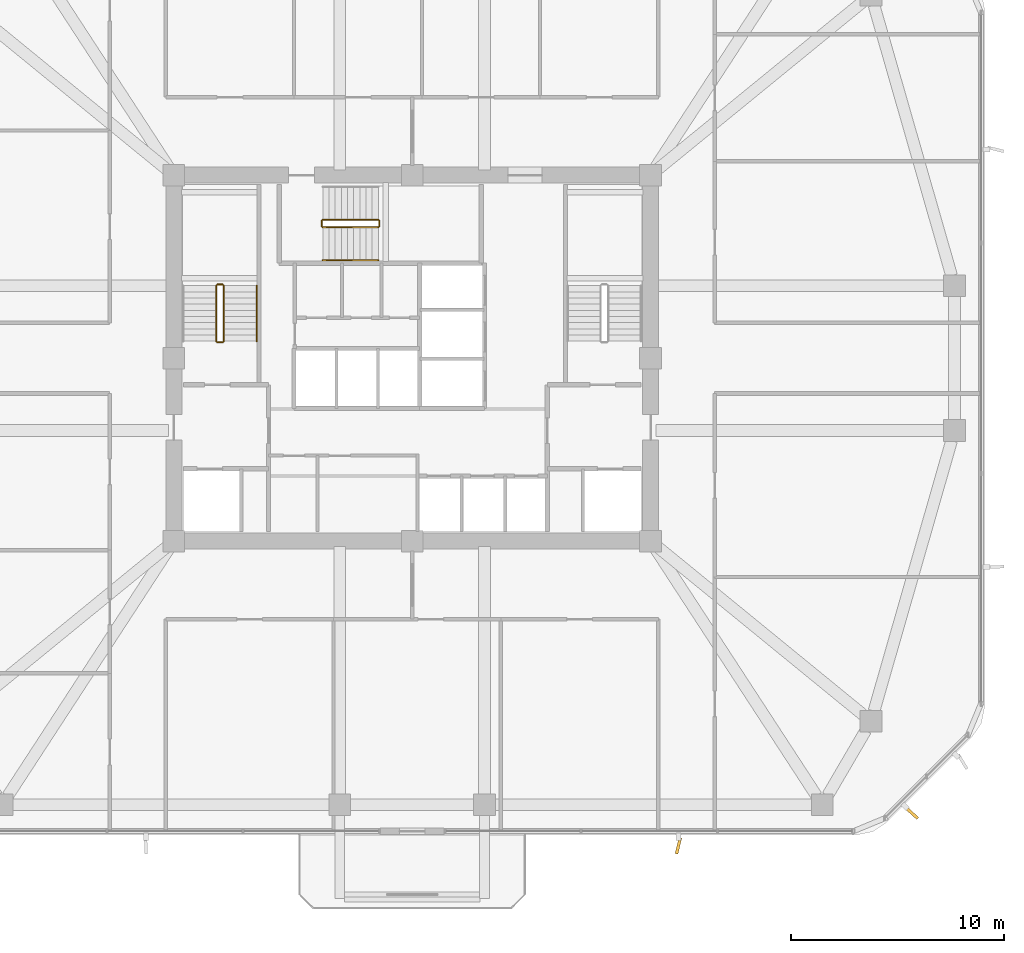
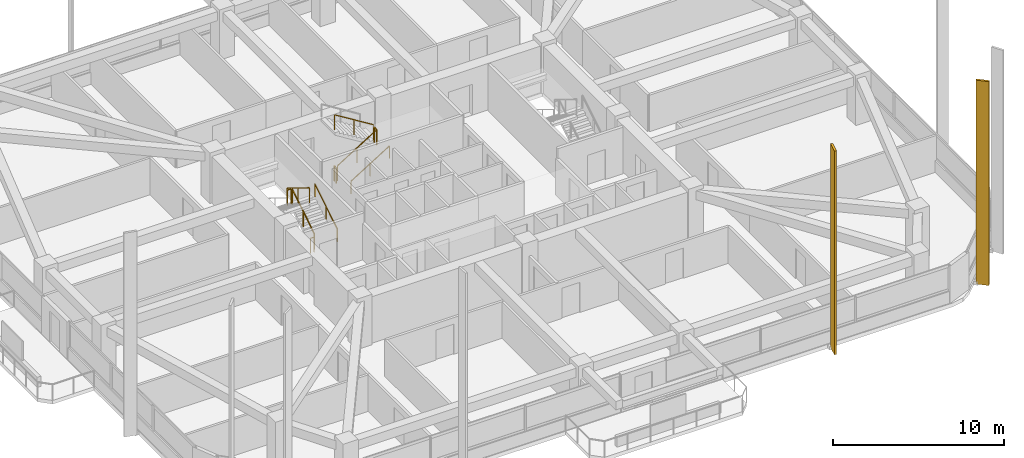
# One storey, part 13 of 15: 10 railings, 2 shading devices.
"""IFC4 building model written with IfcOpenShell, lengths in metres."""

from ifc_helpers import new_model, si_unit, derived_unit, direction, frame, origin, origin_2d, place, context, subcontext, project, spatial, rectangle, extrude, material, type_object, element, save


model = new_model("IFC4")

# Units and contexts
model_context = context("Model", 3, precision=1e-05, world=origin(), true_north=direction((0.0, 1.0)))
body_context = subcontext(model_context, "Body", "Model", "MODEL_VIEW")
ifc_project = project(units=[si_unit("LENGTHUNIT", "METRE"), si_unit("AREAUNIT", "SQUARE_METRE"), si_unit("VOLUMEUNIT", "CUBIC_METRE"), si_unit("PLANEANGLEUNIT", "RADIAN"), si_unit("MASSUNIT", "GRAM", prefix="KILO"), derived_unit("THERMALTRANSMITTANCEUNIT", [(si_unit("POWERUNIT", "WATT"), 1), (si_unit("LENGTHUNIT", "METRE"), -2), (si_unit("THERMODYNAMICTEMPERATUREUNIT", "KELVIN"), -1)])], contexts=[model_context])

# Site, building, storey
site_placement = place(None, origin())
site = spatial("IfcSite", under=ifc_project, at=site_placement, CompositionType="ELEMENT")
building_placement = place(site_placement, origin())
building = spatial("IfcBuilding", under=site, at=building_placement, Name="Koralith Skygarden Medical Center", CompositionType="ELEMENT")
storey_placement = place(building_placement, frame((0.0, 0.0, 84.780029296875)))
storey = spatial("IfcBuildingStorey", under=building, at=storey_placement, Name="L21", CompositionType="ELEMENT", Elevation=84.780029296875)

# Shading devices
ifc_material_1 = material(Name="Aluminium 6063-T6", Category="aluminium")
shading_device_type = type_object("IfcShadingDeviceType", Name="Limestone-Clad Solar Storm Fin 780", PredefinedType="USERDEFINED", material=ifc_material_1)
for number, where, z_axis, x_axis, name in (
    (1, (49.510009765625, 2.989990234375, -0.2001953125), (0.0, 0.0, 1.0), (-0.237974084853, -0.971271504235, 0.0), "L21 S Harmonic Solar Storm Fin 2"),
    (2, (60.4619140625, 4.5400390625, -0.2001953125), (0.0, 0.0, 1.0), (0.737630973935, -0.675204077514, 0.0), "L21 SE Harmonic Solar Storm Fin 1"),
):
    element("IfcShadingDevice", number, at=place(storey_placement, frame(where, z_axis=z_axis, x_axis=x_axis)), inside=storey, type_object=shading_device_type, Name=name, ObjectType="SOLAR FIN", PredefinedType="USERDEFINED", context=body_context, shape_type="SweptSolid", body=[
        extrude(rectangle(XDim=0.780029296875, YDim=0.139892578125, at=origin_2d()), origin(), (0.0, 0.0, 1.0), 14.550048828125),
    ])

# Railings
ifc_material_2 = material(Name="Steel ASTM A500 Grade C", Category="steel")
railing_type_1 = type_object("IfcRailingType", Name="Stair Flight Tubular Handrail 920", PredefinedType="HANDRAIL", material=ifc_material_2)
railing_1_placement = place(storey_placement, frame((29.699951171875, 26.699951171875, 0.179931640625)))
element("IfcRailing", 3, at=railing_1_placement, inside=storey, type_object=railing_type_1, Name="L21 ST1 stair handrail 1", PredefinedType="HANDRAIL", context=body_context, shape_type="SweptSolid", body=[
    extrude(rectangle(XDim=0.050048828125, YDim=0.050048828125, at=origin_2d()), frame((0.0, 0.001708984375, 0.89599609375), z_axis=(0.0, 0.849632798774, 0.527374731332), x_axis=(-1.0, 0.0, 0.0)), (0.0, 0.0, 1.0), 3.068115234375),
    extrude(rectangle(XDim=0.0419921875, YDim=0.0419921875, at=origin_2d()), origin(), (0.0, 0.0, 1.0), 0.867919921875),
    extrude(rectangle(XDim=0.0419921875, YDim=0.0419921875, at=origin_2d()), frame((0.0, 1.30517578125, 0.81005859375)), (0.0, 0.0, 1.0), 0.867919921875),
    extrude(rectangle(XDim=0.0419921875, YDim=0.0419921875, at=origin_2d()), frame((0.0, 2.610107421875, 1.6201171875)), (0.0, 0.0, 1.0), 0.867919921875),
])
railing_2_placement = place(storey_placement, frame((32.800048828125, 30.5, 0.179931640625)))
element("IfcRailing", 4, at=railing_2_placement, inside=storey, type_object=railing_type_1, Name="L21 ST3 stair handrail 1", PredefinedType="HANDRAIL", context=body_context, shape_type="SweptSolid", body=[
    extrude(rectangle(XDim=0.050048828125, YDim=0.050048828125, at=origin_2d()), frame((0.001708984375, 0.0, 0.89599609375), z_axis=(0.849610693518, 0.0, 0.52741034258), x_axis=(0.0, 1.0, 0.0)), (0.0, 0.0, 1.0), 3.06787109375),
    extrude(rectangle(XDim=0.0419921875, YDim=0.0419921875, at=origin_2d()), origin(), (0.0, 0.0, 1.0), 0.867919921875),
    extrude(rectangle(XDim=0.0419921875, YDim=0.0419921875, at=origin_2d()), frame((1.304931640625, 0.0, 0.81005859375)), (0.0, 0.0, 1.0), 0.867919921875),
    extrude(rectangle(XDim=0.0419921875, YDim=0.0419921875, at=origin_2d()), frame((2.60986328125, 0.0, 1.6201171875)), (0.0, 0.0, 1.0), 0.867919921875),
])
railing_type_2 = type_object("IfcRailingType", Name="Stair Well Safety Guardrail 1100", PredefinedType="GUARDRAIL", material=ifc_material_2)
railing_3_placement = place(storey_placement, frame((28.14990234375, 26.699951171875, 0.179931640625)))
element("IfcRailing", 5, at=railing_3_placement, inside=storey, type_object=railing_type_2, Name="L21 ST1 stair guard 1", PredefinedType="GUARDRAIL", context=body_context, shape_type="SweptSolid", body=[
    extrude(rectangle(XDim=0.050048828125, YDim=0.050048828125, at=origin_2d()), frame((0.0, 0.001708984375, 1.076171875), z_axis=(0.0, 0.849632798774, 0.527374731332), x_axis=(-1.0, 0.0, 0.0)), (0.0, 0.0, 1.0), 3.068115234375),
    extrude(rectangle(XDim=0.0419921875, YDim=0.0419921875, at=origin_2d()), origin(), (0.0, 0.0, 1.0), 1.048095703125),
    extrude(rectangle(XDim=0.0419921875, YDim=0.0419921875, at=origin_2d()), frame((0.0, 1.30517578125, 0.81005859375)), (0.0, 0.0, 1.0), 1.048095703125),
    extrude(rectangle(XDim=0.0419921875, YDim=0.0419921875, at=origin_2d()), frame((0.0, 2.610107421875, 1.6201171875)), (0.0, 0.0, 1.0), 1.048095703125),
])
railing_4_placement = place(storey_placement, frame((28.10009765625, 29.360107421875, 1.800048828125)))
element("IfcRailing", 6, at=railing_4_placement, inside=storey, type_object=railing_type_2, Name="L21 ST1 stair guard 2", PredefinedType="GUARDRAIL", context=body_context, shape_type="SweptSolid", body=[
    extrude(rectangle(XDim=0.050048828125, YDim=0.050048828125, at=origin_2d()), frame((-0.001953125, 0.0, 1.0751953125), z_axis=(-1.0, 0.0, 0.0), x_axis=(0.0, -1.0, 0.0)), (0.0, 0.0, 1.0), 0.24609375),
    extrude(rectangle(XDim=0.0419921875, YDim=0.0419921875, at=origin_2d()), origin(), (0.0, 0.0, 1.0), 1.048095703125),
    extrude(rectangle(XDim=0.0419921875, YDim=0.0419921875, at=origin_2d()), frame((-0.25, 0.0, 0.0)), (0.0, 0.0, 1.0), 1.048095703125),
])
railing_5_placement = place(storey_placement, frame((27.800048828125, 29.31005859375, 1.97998046875)))
element("IfcRailing", 7, at=railing_5_placement, inside=storey, type_object=railing_type_2, Name="L21 ST1 stair guard 3", PredefinedType="GUARDRAIL", context=body_context, shape_type="SweptSolid", body=[
    extrude(rectangle(XDim=0.050048828125, YDim=0.050048828125, at=origin_2d()), frame((0.0, -0.001708984375, 1.076171875), z_axis=(0.0, -0.849668407637, 0.527317358963), x_axis=(1.0, 0.0, 0.0)), (0.0, 0.0, 1.0), 3.06787109375),
    extrude(rectangle(XDim=0.0419921875, YDim=0.0419921875, at=origin_2d()), origin(), (0.0, 0.0, 1.0), 1.048095703125),
    extrude(rectangle(XDim=0.0419921875, YDim=0.0419921875, at=origin_2d()), frame((0.0, -1.30517578125, 0.81005859375)), (0.0, 0.0, 1.0), 1.048095703125),
    extrude(rectangle(XDim=0.0419921875, YDim=0.0419921875, at=origin_2d()), frame((0.0, -2.610107421875, 1.619873046875)), (0.0, 0.0, 1.0), 1.048095703125),
])
railing_6_placement = place(storey_placement, frame((28.10009765625, 26.64990234375, 0.0)))
element("IfcRailing", 8, at=railing_6_placement, inside=storey, type_object=railing_type_2, Name="L21 ST1 stair guard 4", PredefinedType="GUARDRAIL", context=body_context, shape_type="SweptSolid", body=[
    extrude(rectangle(XDim=0.050048828125, YDim=0.050048828125, at=origin_2d()), frame((-0.001953125, 0.0, 1.0751953125), z_axis=(-1.0, 0.0, 0.0), x_axis=(0.0, -1.0, 0.0)), (0.0, 0.0, 1.0), 0.24609375),
    extrude(rectangle(XDim=0.0419921875, YDim=0.0419921875, at=origin_2d()), origin(), (0.0, 0.0, 1.0), 1.048095703125),
    extrude(rectangle(XDim=0.0419921875, YDim=0.0419921875, at=origin_2d()), frame((-0.25, 0.0, 0.0)), (0.0, 0.0, 1.0), 1.048095703125),
])
railing_7_placement = place(storey_placement, frame((32.800048828125, 32.050048828125, 0.179931640625)))
element("IfcRailing", 9, at=railing_7_placement, inside=storey, type_object=railing_type_2, Name="L21 ST3 stair guard 1", PredefinedType="GUARDRAIL", context=body_context, shape_type="SweptSolid", body=[
    extrude(rectangle(XDim=0.050048828125, YDim=0.050048828125, at=origin_2d()), frame((0.001708984375, 0.0, 1.076171875), z_axis=(0.849610693518, 0.0, 0.52741034258), x_axis=(0.0, 1.0, 0.0)), (0.0, 0.0, 1.0), 3.06787109375),
    extrude(rectangle(XDim=0.0419921875, YDim=0.0419921875, at=origin_2d()), origin(), (0.0, 0.0, 1.0), 1.048095703125),
    extrude(rectangle(XDim=0.0419921875, YDim=0.0419921875, at=origin_2d()), frame((1.304931640625, 0.0, 0.81005859375)), (0.0, 0.0, 1.0), 1.048095703125),
    extrude(rectangle(XDim=0.0419921875, YDim=0.0419921875, at=origin_2d()), frame((2.60986328125, 0.0, 1.6201171875)), (0.0, 0.0, 1.0), 1.048095703125),
])
railing_8_placement = place(storey_placement, frame((35.4599609375, 32.10009765625, 1.800048828125)))
element("IfcRailing", 10, at=railing_8_placement, inside=storey, type_object=railing_type_2, Name="L21 ST3 stair guard 2", PredefinedType="GUARDRAIL", context=body_context, shape_type="SweptSolid", body=[
    extrude(rectangle(XDim=0.050048828125, YDim=0.050048828125, at=origin_2d()), frame((0.0, 0.001953125, 1.0751953125), z_axis=(0.0, 1.0, 0.0), x_axis=(-1.0, 0.0, 0.0)), (0.0, 0.0, 1.0), 0.24609375),
    extrude(rectangle(XDim=0.0419921875, YDim=0.0419921875, at=origin_2d()), origin(), (0.0, 0.0, 1.0), 1.048095703125),
    extrude(rectangle(XDim=0.0419921875, YDim=0.0419921875, at=origin_2d()), frame((0.0, 0.25, 0.0)), (0.0, 0.0, 1.0), 1.048095703125),
])
railing_9_placement = place(storey_placement, frame((35.409912109375, 32.39990234375, 1.97998046875)))
element("IfcRailing", 11, at=railing_9_placement, inside=storey, type_object=railing_type_2, Name="L21 ST3 stair guard 3", PredefinedType="GUARDRAIL", context=body_context, shape_type="SweptSolid", body=[
    extrude(rectangle(XDim=0.050048828125, YDim=0.050048828125, at=origin_2d()), frame((-0.001708984375, 0.0, 1.076171875), z_axis=(-0.849646306263, 0.0, 0.527352969322), x_axis=(0.0, -1.0, 0.0)), (0.0, 0.0, 1.0), 3.067626953125),
    extrude(rectangle(XDim=0.0419921875, YDim=0.0419921875, at=origin_2d()), origin(), (0.0, 0.0, 1.0), 1.048095703125),
    extrude(rectangle(XDim=0.0419921875, YDim=0.0419921875, at=origin_2d()), frame((-1.304931640625, 0.0, 0.81005859375)), (0.0, 0.0, 1.0), 1.048095703125),
    extrude(rectangle(XDim=0.0419921875, YDim=0.0419921875, at=origin_2d()), frame((-2.60986328125, 0.0, 1.619873046875)), (0.0, 0.0, 1.0), 1.048095703125),
])
railing_10_placement = place(storey_placement, frame((32.75, 32.10009765625, 0.0)))
element("IfcRailing", 12, at=railing_10_placement, inside=storey, type_object=railing_type_2, Name="L21 ST3 stair guard 4", PredefinedType="GUARDRAIL", context=body_context, shape_type="SweptSolid", body=[
    extrude(rectangle(XDim=0.050048828125, YDim=0.050048828125, at=origin_2d()), frame((0.0, 0.001953125, 1.0751953125), z_axis=(0.0, 1.0, 0.0), x_axis=(-1.0, 0.0, 0.0)), (0.0, 0.0, 1.0), 0.24609375),
    extrude(rectangle(XDim=0.0419921875, YDim=0.0419921875, at=origin_2d()), origin(), (0.0, 0.0, 1.0), 1.048095703125),
    extrude(rectangle(XDim=0.0419921875, YDim=0.0419921875, at=origin_2d()), frame((0.0, 0.25, 0.0)), (0.0, 0.0, 1.0), 1.048095703125),
])

save(model, "model.ifc")
